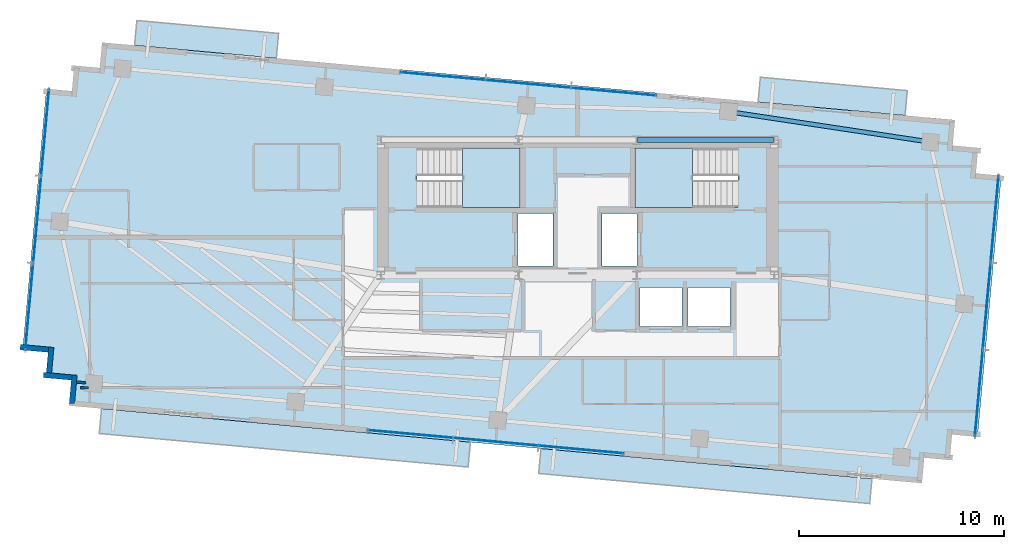
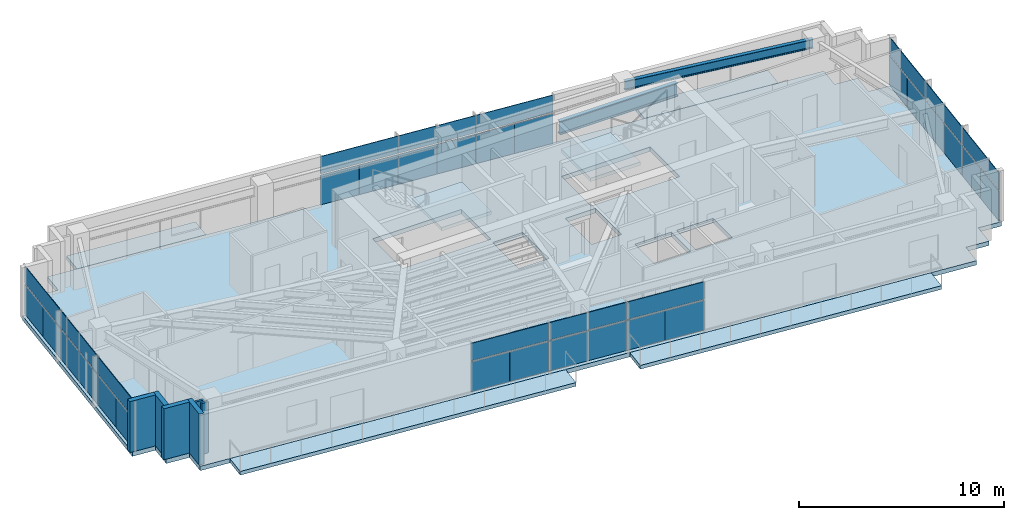
# One storey, part 15 of 22: 36 plates, 7 slabs, 6 walls, 2 beams, 6 elements without a shape of their own.
"""IFC4 building model written with IfcOpenShell, lengths in metres."""

from ifc_helpers import new_model, si_unit, direction, frame, frame_2d, origin, origin_2d, place, context, subcontext, project, spatial, polyline, rectangle, i_section, outline, extrude, source, transform, mapped, material, layer, layer_set, material_profile, profile_set, type_object, type_shapes, element, aggregate, save


model = new_model("IFC4")

# Units and contexts
model_context = context("Model", 3, precision=1e-05, world=origin(), true_north=direction((0.0, 1.0)))
body_context = subcontext(model_context, "Body", "Model", "MODEL_VIEW")
ifc_project = project(units=[si_unit("LENGTHUNIT", "METRE"), si_unit("AREAUNIT", "SQUARE_METRE"), si_unit("VOLUMEUNIT", "CUBIC_METRE"), si_unit("PLANEANGLEUNIT", "RADIAN"), si_unit("MASSUNIT", "GRAM", prefix="KILO")], contexts=[model_context])

# Site, building, storey
site_placement = place(None, origin())
site = spatial("IfcSite", under=ifc_project, at=site_placement, CompositionType="ELEMENT")
building_placement = place(site_placement, origin())
building = spatial("IfcBuilding", under=site, at=building_placement, Name="Astriad Promenade Condominiums", CompositionType="ELEMENT")
storey_placement = place(building_placement, frame((0.0, 0.0, 252.89990234375)))
storey = spatial("IfcBuildingStorey", under=building, at=storey_placement, Name="L73", CompositionType="ELEMENT", Elevation=252.89990234375)

# Beams
ifc_material_1 = material(Name="Steel ASTM A992 Grade 50", Category="steel")
ifc_material_profile_1 = material_profile(ifc_material_1, i_section(OverallWidth=0.267822265625, OverallDepth=0.76953125, WebThickness=0.015625, FlangeThickness=0.025390625, FilletRadius=0.021484375, at=origin_2d()), Name="W30X132")
ifc_profile_set_1 = profile_set([ifc_material_profile_1], Name="Steel ASTM A992 Grade 50")
beam_type_1 = type_object("IfcBeamType", Name="STEEL FLOOR GIRDER W30X132", PredefinedType="BEAM", material=ifc_profile_set_1)
shared_shape_1 = source(origin(), body_context, "Body", "SweptSolid", [
    extrude(i_section(OverallWidth=0.267822265625, OverallDepth=0.76953125, WebThickness=0.015625, FlangeThickness=0.025390625, FilletRadius=0.021484375, at=origin_2d()), origin(), (0.0, 0.0, 1.0), 6.64013671875),
])
type_shapes(beam_type_1, [shared_shape_1])
beam_1_placement = place(storey_placement, frame((38.919921875, 24.0, 2.6552734375), z_axis=(1.0, 0.0, 0.0), x_axis=(0.0, 1.0, 0.0)))
element("IfcBeam", 1, at=beam_1_placement, inside=storey, type_object=beam_type_1, Name="Core Ring Beam CG-N3-L73", PredefinedType="BEAM", context=body_context, shape_type="MappedRepresentation", body=[
    mapped(shared_shape_1, transform((0.0, 0.0, 0.0), scale=1.0)),
])
ifc_material_profile_2 = material_profile(ifc_material_1, i_section(OverallWidth=0.210693359375, OverallDepth=0.53955078125, WebThickness=0.01171875, FlangeThickness=0.018798828125, FilletRadius=0.0166015625, at=origin_2d()), Name="W21X73")
ifc_profile_set_2 = profile_set([ifc_material_profile_2], Name="Steel ASTM A992 Grade 50")
beam_type_2 = type_object("IfcBeamType", Name="STEEL SPANDREL BEAM W21X73", PredefinedType="SPANDREL", material=ifc_profile_set_2)
shared_shape_2 = source(origin(), body_context, "Body", "SweptSolid", [
    extrude(i_section(OverallWidth=0.210693359375, OverallDepth=0.53955078125, WebThickness=0.01171875, FlangeThickness=0.018798828125, FilletRadius=0.0166015625, at=origin_2d()), origin(), (0.0, 0.0, 1.0), 9.890869140625),
])
type_shapes(beam_type_2, [shared_shape_2])
beam_2_placement = place(storey_placement, frame((53.1787109375, 23.899658203125, 2.7705078125), z_axis=(-0.988827455442, 0.149064628143, 0.0), x_axis=(-0.149064628143, -0.988827455442, 0.0)))
element("IfcBeam", 2, at=beam_2_placement, inside=storey, type_object=beam_type_2, Name="Perimeter Spandrel Beam SP-N4-L73", PredefinedType="SPANDREL", context=body_context, shape_type="MappedRepresentation", body=[
    mapped(shared_shape_2, transform((0.0, 0.0, 0.0), scale=1.0)),
])

# Slab
ifc_material_2 = material(Name="Concrete C50/60", Category="concrete")
ifc_layer_1 = layer(ifc_material_2, 0.260009765625)
ifc_layer_set_1 = layer_set([ifc_layer_1], Name="Concrete C50/60")
slab_type_1 = type_object("IfcSlabType", Name="CONCRETE TOWER FLOOR SLAB 260", PredefinedType="FLOOR", material=ifc_layer_set_1)
slab_1_placement = place(storey_placement, frame((0.0, 0.0, -0.260009765625)))
element("IfcSlab", 3, at=slab_1_placement, inside=storey, type_object=slab_type_1, Name="Structural Floor Slab (L73)", PredefinedType="FLOOR", context=body_context, shape_type="SweptSolid", body=[
    extrude(outline(polyline([(11.179443359375, 11.03076171875), (52.807373046875, 7.242431640625), (52.920654296875, 8.4873046875), (54.16552734375, 8.3740234375), (54.27880859375, 9.618896484375), (55.523681640625, 9.505615234375), (56.68359375, 22.2529296875), (55.43896484375, 22.3662109375), (55.55224609375, 23.611083984375), (54.307373046875, 23.724365234375), (54.420654296875, 24.96923828125), (12.79248046875, 28.757568359375), (12.679443359375, 27.5126953125), (11.4345703125, 27.6259765625), (11.3212890625, 26.381103515625), (10.076416015625, 26.494384765625), (8.916259765625, 13.7470703125), (10.1611328125, 13.6337890625), (10.0478515625, 12.388916015625), (11.292724609375, 12.275634765625), (11.179443359375, 11.03076171875)]), holes=[polyline([(28.175048828125, 20.699951171875), (33.175048828125, 20.699951171875), (33.175048828125, 23.60009765625), (28.175048828125, 23.60009765625), (28.175048828125, 20.699951171875)]), polyline([(38.824951171875, 20.699951171875), (43.824951171875, 20.699951171875), (43.824951171875, 23.60009765625), (38.824951171875, 23.60009765625), (38.824951171875, 20.699951171875)]), polyline([(33.10009765625, 17.85009765625), (34.800048828125, 17.85009765625), (34.800048828125, 20.39990234375), (33.10009765625, 20.39990234375), (33.10009765625, 17.85009765625)]), polyline([(37.199951171875, 17.85009765625), (38.89990234375, 17.85009765625), (38.89990234375, 20.39990234375), (37.199951171875, 20.39990234375), (37.199951171875, 17.85009765625)]), polyline([(39.050048828125, 14.89990234375), (41.10009765625, 14.89990234375), (41.10009765625, 16.800048828125), (39.050048828125, 16.800048828125), (39.050048828125, 14.89990234375)]), polyline([(41.39990234375, 14.89990234375), (43.449951171875, 14.89990234375), (43.449951171875, 16.800048828125), (41.39990234375, 16.800048828125), (41.39990234375, 14.89990234375)])]), origin(), (0.0, 0.0, 1.0), 0.260009765625),
])

# Stair, slab
stair_type = type_object("IfcStairType", Name="STR-CORE-1350", PredefinedType="HALF_TURN_STAIR", material=ifc_material_2)
stair_1_placement = place(storey_placement, origin())
stair_1 = element("IfcStair", 4, at=stair_1_placement, inside=storey, type_object=stair_type, Name="L73 Enclosed Core Exit Stair ST-1", PredefinedType="HALF_TURN_STAIR")
ifc_layer_2 = layer(ifc_material_2, 0.219970703125)
ifc_layer_set_2 = layer_set([ifc_layer_2], Name="Concrete C50/60")
slab_type_2 = type_object("IfcSlabType", Name="SLB-LANDING-220", PredefinedType="LANDING", material=ifc_layer_set_2)
slab_2_placement = place(storey_placement, frame((0.0, 0.0, 1.4501953125)))
slab_2 = element("IfcSlab", 5, at=slab_2_placement, type_object=slab_type_2, Name="ST-1 landing 1", PredefinedType="LANDING", context=body_context, shape_type="SweptSolid", body=[
    extrude(outline(polyline([(30.389892578125, 20.699951171875), (33.199951171875, 20.699951171875), (33.199951171875, 23.60009765625), (30.389892578125, 23.60009765625), (30.389892578125, 20.699951171875)])), origin(), (0.0, 0.0, 1.0), 0.199951171875),
])
aggregate(stair_1, [slab_2])

stair_2_placement = place(storey_placement, origin())
stair_2 = element("IfcStair", 6, at=stair_2_placement, inside=storey, type_object=stair_type, Name="L73 Enclosed Core Exit Stair ST-2", PredefinedType="HALF_TURN_STAIR")
slab_3_placement = place(storey_placement, frame((0.0, 0.0, 1.4501953125)))
slab_3 = element("IfcSlab", 7, at=slab_3_placement, type_object=slab_type_2, Name="ST-2 landing 1", PredefinedType="LANDING", context=body_context, shape_type="SweptSolid", body=[
    extrude(outline(polyline([(41.610107421875, 23.60009765625), (38.800048828125, 23.60009765625), (38.800048828125, 20.699951171875), (41.610107421875, 20.699951171875), (41.610107421875, 23.60009765625)])), origin(), (0.0, 0.0, 1.0), 0.199951171875),
])
aggregate(stair_2, [slab_3])

# Slabs
ifc_material_3 = material(Name="Precast concrete C50/60", Category="concrete")
ifc_layer_3 = layer(ifc_material_3, 0.219970703125)
ifc_layer_set_3 = layer_set([ifc_layer_3], Name="Precast concrete C50/60")
slab_type_3 = type_object("IfcSlabType", Name="WHITE PRECAST CONCRETE WAVE BALCONY SLAB 220", PredefinedType="FLOOR", material=ifc_layer_set_3)
slab_4_placement = place(storey_placement, frame((0.0, 0.0, -0.219970703125)))
element("IfcSlab", 8, at=slab_4_placement, inside=storey, type_object=slab_type_3, Name="White Precast Wave Balcony Slab BAL-L73-SW", PredefinedType="FLOOR", context=body_context, shape_type="SweptSolid", body=[
    extrude(outline(polyline([(30.656005859375, 8.033203125), (12.6552734375, 9.67138671875), (12.765625, 10.884521484375), (30.76611328125, 9.246337890625), (30.656005859375, 8.033203125)])), origin(), (0.0, 0.0, 1.0), 0.219970703125),
])
slab_5_placement = place(storey_placement, frame((0.0, 0.0, -0.219970703125)))
element("IfcSlab", 9, at=slab_5_placement, inside=storey, type_object=slab_type_3, Name="White Precast Wave Balcony Slab BAL-L73-SE", PredefinedType="FLOOR", context=body_context, shape_type="SweptSolid", body=[
    extrude(outline(polyline([(50.2578125, 6.24951171875), (34.1005859375, 7.7197265625), (34.2109375, 8.932861328125), (50.3681640625, 7.46240234375), (50.2578125, 6.24951171875)])), origin(), (0.0, 0.0, 1.0), 0.219970703125),
])
slab_6_placement = place(storey_placement, frame((0.0, 0.0, -0.219970703125)))
element("IfcSlab", 10, at=slab_6_placement, inside=storey, type_object=slab_type_3, Name="White Precast Wave Balcony Slab BAL-L73-NW", PredefinedType="FLOOR", context=body_context, shape_type="SweptSolid", body=[
    extrude(outline(polyline([(14.48974609375, 29.828125), (21.408203125, 29.198486328125), (21.297607421875, 27.985595703125), (14.37939453125, 28.615234375), (14.48974609375, 29.828125)])), origin(), (0.0, 0.0, 1.0), 0.219970703125),
])
slab_7_placement = place(storey_placement, frame((0.0, 0.0, -0.219970703125)))
element("IfcSlab", 11, at=slab_7_placement, inside=storey, type_object=slab_type_3, Name="White Precast Wave Balcony Slab BAL-L73-NE", PredefinedType="FLOOR", context=body_context, shape_type="SweptSolid", body=[
    extrude(outline(polyline([(44.9208984375, 27.05859375), (52.09228515625, 26.406005859375), (51.98193359375, 25.193115234375), (44.810546875, 25.845703125), (44.9208984375, 27.05859375)])), origin(), (0.0, 0.0, 1.0), 0.219970703125),
])

# Curtain wall, plates
ifc_material_4 = material(Name="Anodised aluminium Black Dark Glass Unitised", Category="aluminium")
curtain_wall_type = type_object("IfcCurtainWallType", Name="CW-B5-DARK", PredefinedType="USERDEFINED", material=ifc_material_4)
curtain_wall_1_placement = place(storey_placement, origin())
curtain_wall_1 = element("IfcCurtainWall", 12, at=curtain_wall_1_placement, inside=storey, type_object=curtain_wall_type, Name="CW-L73-W", ObjectType="UNITISED_CURTAIN_WALL", PredefinedType="USERDEFINED")
ifc_material_5 = material(Name="Dark Tinted Low-E Laminated Glass", Category="glass")
ifc_layer_4 = layer(ifc_material_5, 0.035888671875)
ifc_layer_set_4 = layer_set([ifc_layer_4], Name="Dark Tinted Low-E Laminated Glass")
plate_type = type_object("IfcPlateType", Name="PNL-DARK-GLASS-36", PredefinedType="CURTAIN_PANEL", material=ifc_layer_set_4)
shared_shape_3 = source(origin(), body_context, "Body", "SweptSolid", [
    extrude(rectangle(XDim=2.121337890625, YDim=0.035888671875, at=origin_2d()), origin(), (0.0, 0.0, 1.0), 1.764892578125),
])
plate_1_placement = place(storey_placement, frame((9.142578125, 14.797607421875, 0.080078125), z_axis=(0.0, 0.0, 1.0), x_axis=(0.090632580198, 0.995884398616, 0.0)))
plate_1 = element("IfcPlate", 13, at=plate_1_placement, type_object=plate_type, Name="CW-L73-W-PNL-00-VL", PredefinedType="CURTAIN_PANEL", context=body_context, shape_type="MappedRepresentation", body=[
    mapped(shared_shape_3, transform((0.0, 0.0, 0.0), scale=1.0)),
])
plate_2_placement = place(storey_placement, frame((9.335693359375, 16.922119140625, 0.080078125), z_axis=(0.0, 0.0, 1.0), x_axis=(0.090632580198, 0.995884398616, 0.0)))
plate_2 = element("IfcPlate", 14, at=plate_2_placement, type_object=plate_type, Name="CW-L73-W-PNL-00-VR", PredefinedType="CURTAIN_PANEL", context=body_context, shape_type="MappedRepresentation", body=[
    mapped(shared_shape_3, transform((0.0, 0.0, 0.0), scale=1.0)),
])
plate_3_placement = place(storey_placement, frame((9.529296875, 19.046630859375, 0.080078125), z_axis=(0.0, 0.0, 1.0), x_axis=(0.090632580198, 0.995884398616, 0.0)))
plate_3 = element("IfcPlate", 15, at=plate_3_placement, type_object=plate_type, Name="CW-L73-W-PNL-01-VL", PredefinedType="CURTAIN_PANEL", context=body_context, shape_type="MappedRepresentation", body=[
    mapped(shared_shape_3, transform((0.0, 0.0, 0.0), scale=1.0)),
])
plate_4_placement = place(storey_placement, frame((9.722412109375, 21.17138671875, 0.080078125), z_axis=(0.0, 0.0, 1.0), x_axis=(0.090632580198, 0.995884398616, 0.0)))
plate_4 = element("IfcPlate", 16, at=plate_4_placement, type_object=plate_type, Name="CW-L73-W-PNL-01-VR", PredefinedType="CURTAIN_PANEL", context=body_context, shape_type="MappedRepresentation", body=[
    mapped(shared_shape_3, transform((0.0, 0.0, 0.0), scale=1.0)),
])
plate_5_placement = place(storey_placement, frame((9.916015625, 23.2958984375, 0.080078125), z_axis=(0.0, 0.0, 1.0), x_axis=(0.090632580198, 0.995884398616, 0.0)))
plate_5 = element("IfcPlate", 17, at=plate_5_placement, type_object=plate_type, Name="CW-L73-W-PNL-02-VL", PredefinedType="CURTAIN_PANEL", context=body_context, shape_type="MappedRepresentation", body=[
    mapped(shared_shape_3, transform((0.0, 0.0, 0.0), scale=1.0)),
])
plate_6_placement = place(storey_placement, frame((10.109130859375, 25.42041015625, 0.080078125), z_axis=(0.0, 0.0, 1.0), x_axis=(0.090632580198, 0.995884398616, 0.0)))
plate_6 = element("IfcPlate", 18, at=plate_6_placement, type_object=plate_type, Name="CW-L73-W-PNL-02-VR", PredefinedType="CURTAIN_PANEL", context=body_context, shape_type="MappedRepresentation", body=[
    mapped(shared_shape_3, transform((0.0, 0.0, 0.0), scale=1.0)),
])

curtain_wall_2_placement = place(storey_placement, origin())
curtain_wall_2 = element("IfcCurtainWall", 19, at=curtain_wall_2_placement, inside=storey, type_object=curtain_wall_type, Name="CW-L73-E", ObjectType="UNITISED_CURTAIN_WALL", PredefinedType="USERDEFINED")
plate_7_placement = place(storey_placement, frame((56.45751953125, 21.202392578125, 0.080078125), z_axis=(0.0, 0.0, 1.0), x_axis=(-0.090632580198, -0.995884398616, 0.0)))
plate_7 = element("IfcPlate", 20, at=plate_7_placement, type_object=plate_type, Name="CW-L73-E-PNL-00-VL", PredefinedType="CURTAIN_PANEL", context=body_context, shape_type="MappedRepresentation", body=[
    mapped(shared_shape_3, transform((0.0, 0.0, 0.0), scale=1.0)),
])
plate_8_placement = place(storey_placement, frame((56.26416015625, 19.077880859375, 0.080078125), z_axis=(0.0, 0.0, 1.0), x_axis=(-0.090632580198, -0.995884398616, 0.0)))
plate_8 = element("IfcPlate", 21, at=plate_8_placement, type_object=plate_type, Name="CW-L73-E-PNL-00-VR", PredefinedType="CURTAIN_PANEL", context=body_context, shape_type="MappedRepresentation", body=[
    mapped(shared_shape_3, transform((0.0, 0.0, 0.0), scale=1.0)),
])
plate_9_placement = place(storey_placement, frame((56.07080078125, 16.953369140625, 0.080078125), z_axis=(0.0, 0.0, 1.0), x_axis=(-0.090632580198, -0.995884398616, 0.0)))
plate_9 = element("IfcPlate", 22, at=plate_9_placement, type_object=plate_type, Name="CW-L73-E-PNL-01-VL", PredefinedType="CURTAIN_PANEL", context=body_context, shape_type="MappedRepresentation", body=[
    mapped(shared_shape_3, transform((0.0, 0.0, 0.0), scale=1.0)),
])
plate_10_placement = place(storey_placement, frame((55.87744140625, 14.82861328125, 0.080078125), z_axis=(0.0, 0.0, 1.0), x_axis=(-0.090632580198, -0.995884398616, 0.0)))
plate_10 = element("IfcPlate", 23, at=plate_10_placement, type_object=plate_type, Name="CW-L73-E-PNL-01-VR", PredefinedType="CURTAIN_PANEL", context=body_context, shape_type="MappedRepresentation", body=[
    mapped(shared_shape_3, transform((0.0, 0.0, 0.0), scale=1.0)),
])
plate_11_placement = place(storey_placement, frame((55.68408203125, 12.7041015625, 0.080078125), z_axis=(0.0, 0.0, 1.0), x_axis=(-0.090632580198, -0.995884398616, 0.0)))
plate_11 = element("IfcPlate", 24, at=plate_11_placement, type_object=plate_type, Name="CW-L73-E-PNL-02-VL", PredefinedType="CURTAIN_PANEL", context=body_context, shape_type="MappedRepresentation", body=[
    mapped(shared_shape_3, transform((0.0, 0.0, 0.0), scale=1.0)),
])
plate_12_placement = place(storey_placement, frame((55.49072265625, 10.57958984375, 0.080078125), z_axis=(0.0, 0.0, 1.0), x_axis=(-0.090632580198, -0.995884398616, 0.0)))
plate_12 = element("IfcPlate", 25, at=plate_12_placement, type_object=plate_type, Name="CW-L73-E-PNL-02-VR", PredefinedType="CURTAIN_PANEL", context=body_context, shape_type="MappedRepresentation", body=[
    mapped(shared_shape_3, transform((0.0, 0.0, 0.0), scale=1.0)),
])

# Plate
shared_shape_4 = source(origin(), body_context, "Body", "SweptSolid", [
    extrude(rectangle(XDim=4.254638671875, YDim=0.035888671875, at=origin_2d()), origin(), (0.0, 0.0, 1.0), 1.03515625),
])
plate_13_placement = place(storey_placement, frame((9.239013671875, 15.85986328125, 1.9248046875), z_axis=(0.0, 0.0, 1.0), x_axis=(0.090632580198, 0.995884398616, 0.0)))
plate_13 = element("IfcPlate", 26, at=plate_13_placement, type_object=plate_type, Name="CW-L73-W-PNL-00-S", PredefinedType="CURTAIN_PANEL", context=body_context, shape_type="MappedRepresentation", body=[
    mapped(shared_shape_4, transform((0.0, 0.0, 0.0), scale=1.0)),
])

plate_14_placement = place(storey_placement, frame((9.625732421875, 20.10888671875, 1.9248046875), z_axis=(0.0, 0.0, 1.0), x_axis=(0.090632580198, 0.995884398616, 0.0)))
plate_14 = element("IfcPlate", 27, at=plate_14_placement, type_object=plate_type, Name="CW-L73-W-PNL-01-S", PredefinedType="CURTAIN_PANEL", context=body_context, shape_type="MappedRepresentation", body=[
    mapped(shared_shape_4, transform((0.0, 0.0, 0.0), scale=1.0)),
])

plate_15_placement = place(storey_placement, frame((10.0126953125, 24.358154296875, 1.9248046875), z_axis=(0.0, 0.0, 1.0), x_axis=(0.090632580198, 0.995884398616, 0.0)))
plate_15 = element("IfcPlate", 28, at=plate_15_placement, type_object=plate_type, Name="CW-L73-W-PNL-02-S", PredefinedType="CURTAIN_PANEL", context=body_context, shape_type="MappedRepresentation", body=[
    mapped(shared_shape_4, transform((0.0, 0.0, 0.0), scale=1.0)),
])

aggregate(curtain_wall_1, [plate_1, plate_2, plate_13, plate_3, plate_4, plate_14, plate_5, plate_6, plate_15])

plate_16_placement = place(storey_placement, frame((56.36083984375, 20.14013671875, 1.9248046875), z_axis=(0.0, 0.0, 1.0), x_axis=(-0.090632580198, -0.995884398616, 0.0)))
plate_16 = element("IfcPlate", 29, at=plate_16_placement, type_object=plate_type, Name="CW-L73-E-PNL-00-S", PredefinedType="CURTAIN_PANEL", context=body_context, shape_type="MappedRepresentation", body=[
    mapped(shared_shape_4, transform((0.0, 0.0, 0.0), scale=1.0)),
])

plate_17_placement = place(storey_placement, frame((55.97412109375, 15.89111328125, 1.9248046875), z_axis=(0.0, 0.0, 1.0), x_axis=(-0.090632580198, -0.995884398616, 0.0)))
plate_17 = element("IfcPlate", 30, at=plate_17_placement, type_object=plate_type, Name="CW-L73-E-PNL-01-S", PredefinedType="CURTAIN_PANEL", context=body_context, shape_type="MappedRepresentation", body=[
    mapped(shared_shape_4, transform((0.0, 0.0, 0.0), scale=1.0)),
])

plate_18_placement = place(storey_placement, frame((55.58740234375, 11.641845703125, 1.9248046875), z_axis=(0.0, 0.0, 1.0), x_axis=(-0.090632580198, -0.995884398616, 0.0)))
plate_18 = element("IfcPlate", 31, at=plate_18_placement, type_object=plate_type, Name="CW-L73-E-PNL-02-S", PredefinedType="CURTAIN_PANEL", context=body_context, shape_type="MappedRepresentation", body=[
    mapped(shared_shape_4, transform((0.0, 0.0, 0.0), scale=1.0)),
])

aggregate(curtain_wall_2, [plate_7, plate_8, plate_16, plate_9, plate_10, plate_17, plate_11, plate_12, plate_18])

# Curtain wall, plates
curtain_wall_3_placement = place(storey_placement, origin())
curtain_wall_3 = element("IfcCurtainWall", 32, at=curtain_wall_3_placement, inside=storey, type_object=curtain_wall_type, Name="CW-L73-N", ObjectType="UNITISED_CURTAIN_WALL", PredefinedType="USERDEFINED")
shared_shape_5 = source(origin(), body_context, "Body", "SweptSolid", [
    extrude(rectangle(XDim=2.077880859375, YDim=0.035888671875, at=origin_2d()), origin(), (0.0, 0.0, 1.0), 1.764892578125),
])
plate_19_placement = place(storey_placement, frame((28.391357421875, 27.20751953125, 0.080078125), z_axis=(0.0, 0.0, 1.0), x_axis=(0.995884398616, -0.090632580198, 0.0)))
plate_19 = element("IfcPlate", 33, at=plate_19_placement, type_object=plate_type, Name="CW-L73-N-PNL-00-VL", PredefinedType="CURTAIN_PANEL", context=body_context, shape_type="MappedRepresentation", body=[
    mapped(shared_shape_5, transform((0.0, 0.0, 0.0), scale=1.0)),
])
plate_20_placement = place(storey_placement, frame((30.47265625, 27.01806640625, 0.080078125), z_axis=(0.0, 0.0, 1.0), x_axis=(0.995884398616, -0.090632580198, 0.0)))
plate_20 = element("IfcPlate", 34, at=plate_20_placement, type_object=plate_type, Name="CW-L73-N-PNL-00-VR", PredefinedType="CURTAIN_PANEL", context=body_context, shape_type="MappedRepresentation", body=[
    mapped(shared_shape_5, transform((0.0, 0.0, 0.0), scale=1.0)),
])
plate_21_placement = place(storey_placement, frame((32.55419921875, 26.82861328125, 0.080078125), z_axis=(0.0, 0.0, 1.0), x_axis=(0.995884398616, -0.090632580198, 0.0)))
plate_21 = element("IfcPlate", 35, at=plate_21_placement, type_object=plate_type, Name="CW-L73-N-PNL-01-VL", PredefinedType="CURTAIN_PANEL", context=body_context, shape_type="MappedRepresentation", body=[
    mapped(shared_shape_5, transform((0.0, 0.0, 0.0), scale=1.0)),
])
plate_22_placement = place(storey_placement, frame((34.635498046875, 26.63916015625, 0.080078125), z_axis=(0.0, 0.0, 1.0), x_axis=(0.995884398616, -0.090632580198, 0.0)))
plate_22 = element("IfcPlate", 36, at=plate_22_placement, type_object=plate_type, Name="CW-L73-N-PNL-01-VR", PredefinedType="CURTAIN_PANEL", context=body_context, shape_type="MappedRepresentation", body=[
    mapped(shared_shape_5, transform((0.0, 0.0, 0.0), scale=1.0)),
])
plate_23_placement = place(storey_placement, frame((36.716796875, 26.44970703125, 0.080078125), z_axis=(0.0, 0.0, 1.0), x_axis=(0.995884398616, -0.090632580198, 0.0)))
plate_23 = element("IfcPlate", 37, at=plate_23_placement, type_object=plate_type, Name="CW-L73-N-PNL-02-VL", PredefinedType="CURTAIN_PANEL", context=body_context, shape_type="MappedRepresentation", body=[
    mapped(shared_shape_5, transform((0.0, 0.0, 0.0), scale=1.0)),
])
plate_24_placement = place(storey_placement, frame((38.79833984375, 26.26025390625, 0.080078125), z_axis=(0.0, 0.0, 1.0), x_axis=(0.995884398616, -0.090632580198, 0.0)))
plate_24 = element("IfcPlate", 38, at=plate_24_placement, type_object=plate_type, Name="CW-L73-N-PNL-02-VR", PredefinedType="CURTAIN_PANEL", context=body_context, shape_type="MappedRepresentation", body=[
    mapped(shared_shape_5, transform((0.0, 0.0, 0.0), scale=1.0)),
])

curtain_wall_4_placement = place(storey_placement, origin())
curtain_wall_4 = element("IfcCurtainWall", 39, at=curtain_wall_4_placement, inside=storey, type_object=curtain_wall_type, Name="CW-L73-S", ObjectType="UNITISED_CURTAIN_WALL", PredefinedType="USERDEFINED")
plate_25_placement = place(storey_placement, frame((37.208740234375, 8.79248046875, 0.080078125), z_axis=(0.0, 0.0, 1.0), x_axis=(-0.995884398616, 0.090632580198, 0.0)))
plate_25 = element("IfcPlate", 40, at=plate_25_placement, type_object=plate_type, Name="CW-L73-S-PNL-00-VL", PredefinedType="CURTAIN_PANEL", context=body_context, shape_type="MappedRepresentation", body=[
    mapped(shared_shape_5, transform((0.0, 0.0, 0.0), scale=1.0)),
])
plate_26_placement = place(storey_placement, frame((35.127197265625, 8.98193359375, 0.080078125), z_axis=(0.0, 0.0, 1.0), x_axis=(-0.995884398616, 0.090632580198, 0.0)))
plate_26 = element("IfcPlate", 41, at=plate_26_placement, type_object=plate_type, Name="CW-L73-S-PNL-00-VR", PredefinedType="CURTAIN_PANEL", context=body_context, shape_type="MappedRepresentation", body=[
    mapped(shared_shape_5, transform((0.0, 0.0, 0.0), scale=1.0)),
])
plate_27_placement = place(storey_placement, frame((33.0458984375, 9.17138671875, 0.080078125), z_axis=(0.0, 0.0, 1.0), x_axis=(-0.995884398616, 0.090632580198, 0.0)))
plate_27 = element("IfcPlate", 42, at=plate_27_placement, type_object=plate_type, Name="CW-L73-S-PNL-01-VL", PredefinedType="CURTAIN_PANEL", context=body_context, shape_type="MappedRepresentation", body=[
    mapped(shared_shape_5, transform((0.0, 0.0, 0.0), scale=1.0)),
])
plate_28_placement = place(storey_placement, frame((30.964599609375, 9.36083984375, 0.080078125), z_axis=(0.0, 0.0, 1.0), x_axis=(-0.995884398616, 0.090632580198, 0.0)))
plate_28 = element("IfcPlate", 43, at=plate_28_placement, type_object=plate_type, Name="CW-L73-S-PNL-01-VR", PredefinedType="CURTAIN_PANEL", context=body_context, shape_type="MappedRepresentation", body=[
    mapped(shared_shape_5, transform((0.0, 0.0, 0.0), scale=1.0)),
])
plate_29_placement = place(storey_placement, frame((28.883056640625, 9.55029296875, 0.080078125), z_axis=(0.0, 0.0, 1.0), x_axis=(-0.995884398616, 0.090632580198, 0.0)))
plate_29 = element("IfcPlate", 44, at=plate_29_placement, type_object=plate_type, Name="CW-L73-S-PNL-02-VL", PredefinedType="CURTAIN_PANEL", context=body_context, shape_type="MappedRepresentation", body=[
    mapped(shared_shape_5, transform((0.0, 0.0, 0.0), scale=1.0)),
])
plate_30_placement = place(storey_placement, frame((26.8017578125, 9.73974609375, 0.080078125), z_axis=(0.0, 0.0, 1.0), x_axis=(-0.995884398616, 0.090632580198, 0.0)))
plate_30 = element("IfcPlate", 45, at=plate_30_placement, type_object=plate_type, Name="CW-L73-S-PNL-02-VR", PredefinedType="CURTAIN_PANEL", context=body_context, shape_type="MappedRepresentation", body=[
    mapped(shared_shape_5, transform((0.0, 0.0, 0.0), scale=1.0)),
])

# Plate
shared_shape_6 = source(origin(), body_context, "Body", "SweptSolid", [
    extrude(rectangle(XDim=4.16796875, YDim=0.035888671875, at=origin_2d()), origin(), (0.0, 0.0, 1.0), 1.03515625),
])
type_shapes(plate_type, [shared_shape_3, shared_shape_4, shared_shape_5, shared_shape_6])
plate_31_placement = place(storey_placement, frame((29.431884765625, 27.11279296875, 1.9248046875), z_axis=(0.0, 0.0, 1.0), x_axis=(0.995884398616, -0.090632580198, 0.0)))
plate_31 = element("IfcPlate", 46, at=plate_31_placement, type_object=plate_type, Name="CW-L73-N-PNL-00-S", PredefinedType="CURTAIN_PANEL", context=body_context, shape_type="MappedRepresentation", body=[
    mapped(shared_shape_6, transform((0.0, 0.0, 0.0), scale=1.0)),
])

plate_32_placement = place(storey_placement, frame((33.5947265625, 26.73388671875, 1.9248046875), z_axis=(0.0, 0.0, 1.0), x_axis=(0.995884398616, -0.090632580198, 0.0)))
plate_32 = element("IfcPlate", 47, at=plate_32_placement, type_object=plate_type, Name="CW-L73-N-PNL-01-S", PredefinedType="CURTAIN_PANEL", context=body_context, shape_type="MappedRepresentation", body=[
    mapped(shared_shape_6, transform((0.0, 0.0, 0.0), scale=1.0)),
])

plate_33_placement = place(storey_placement, frame((37.757568359375, 26.35498046875, 1.9248046875), z_axis=(0.0, 0.0, 1.0), x_axis=(0.995884398616, -0.090632580198, 0.0)))
plate_33 = element("IfcPlate", 48, at=plate_33_placement, type_object=plate_type, Name="CW-L73-N-PNL-02-S", PredefinedType="CURTAIN_PANEL", context=body_context, shape_type="MappedRepresentation", body=[
    mapped(shared_shape_6, transform((0.0, 0.0, 0.0), scale=1.0)),
])

aggregate(curtain_wall_3, [plate_19, plate_20, plate_31, plate_21, plate_22, plate_32, plate_23, plate_24, plate_33])

plate_34_placement = place(storey_placement, frame((36.16796875, 8.88720703125, 1.9248046875), z_axis=(0.0, 0.0, 1.0), x_axis=(-0.995884398616, 0.090632580198, 0.0)))
plate_34 = element("IfcPlate", 49, at=plate_34_placement, type_object=plate_type, Name="CW-L73-S-PNL-00-S", PredefinedType="CURTAIN_PANEL", context=body_context, shape_type="MappedRepresentation", body=[
    mapped(shared_shape_6, transform((0.0, 0.0, 0.0), scale=1.0)),
])

plate_35_placement = place(storey_placement, frame((32.005126953125, 9.26611328125, 1.9248046875), z_axis=(0.0, 0.0, 1.0), x_axis=(-0.995884398616, 0.090632580198, 0.0)))
plate_35 = element("IfcPlate", 50, at=plate_35_placement, type_object=plate_type, Name="CW-L73-S-PNL-01-S", PredefinedType="CURTAIN_PANEL", context=body_context, shape_type="MappedRepresentation", body=[
    mapped(shared_shape_6, transform((0.0, 0.0, 0.0), scale=1.0)),
])

plate_36_placement = place(storey_placement, frame((27.84228515625, 9.64501953125, 1.9248046875), z_axis=(0.0, 0.0, 1.0), x_axis=(-0.995884398616, 0.090632580198, 0.0)))
plate_36 = element("IfcPlate", 51, at=plate_36_placement, type_object=plate_type, Name="CW-L73-S-PNL-02-S", PredefinedType="CURTAIN_PANEL", context=body_context, shape_type="MappedRepresentation", body=[
    mapped(shared_shape_6, transform((0.0, 0.0, 0.0), scale=1.0)),
])

aggregate(curtain_wall_4, [plate_25, plate_26, plate_34, plate_27, plate_28, plate_35, plate_29, plate_30, plate_36])

# Walls
ifc_layer_5 = layer(ifc_material_3, 0.260009765625)
ifc_layer_set_5 = layer_set([ifc_layer_5], Name="Precast concrete C50/60")
wall_type_1 = type_object("IfcWallType", Name="WALL-EXT-TWR-260", PredefinedType="STANDARD", material=ifc_layer_set_5)
wall_1_placement = place(storey_placement, frame((11.3193359375, 12.40380859375, 0.0), z_axis=(0.0, 0.0, 1.0), x_axis=(-0.995881721538, 0.090661991521, 0.0)))
element("IfcWall", 52, at=wall_1_placement, inside=storey, type_object=wall_type_1, Name="W-SER-L73-00", PredefinedType="STANDARD", context=body_context, shape_type="SweptSolid", body=[
    extrude(rectangle(XDim=1.39501953125, YDim=0.260009765625, at=frame_2d((0.697509765625, 0.0))), origin(), (0.0, 0.0, 1.0), 3.0400390625),
])
wall_2_placement = place(storey_placement, frame((10.187744140625, 12.49169921875, 0.0), z_axis=(0.0, 0.0, 1.0), x_axis=(0.090646191665, 0.995883159782, 0.0)))
element("IfcWall", 53, at=wall_2_placement, inside=storey, type_object=wall_type_1, Name="W-SER-L73-01", PredefinedType="STANDARD", context=body_context, shape_type="SweptSolid", body=[
    extrude(rectangle(XDim=1.395263671875, YDim=0.260009765625, at=frame_2d((0.69775390625, 0.0))), origin(), (0.0, 0.0, 1.0), 3.0400390625),
])
for number, where, z_axis, x_axis, name in (
    (54, (10.187744140625, 13.761962890625, 0.0), (0.0, 0.0, 1.0), (-0.995881721538, 0.090661991521, 0.0), "W-SER-L73-02"),
    (55, (11.3193359375, 11.133544921875, 0.0), (0.0, 0.0, 1.0), (0.090661991521, 0.995881721538, 0.0), "W-SER-L73-19"),
):
    element("IfcWall", number, at=place(storey_placement, frame(where, z_axis=z_axis, x_axis=x_axis)), inside=storey, type_object=wall_type_1, Name=name, PredefinedType="STANDARD", context=body_context, shape_type="SweptSolid", body=[
        extrude(rectangle(XDim=1.39501953125, YDim=0.260009765625, at=frame_2d((0.697509765625, 0.0))), origin(), (0.0, 0.0, 1.0), 3.0400390625),
    ])
ifc_material_6 = material(Name="Acoustic Metal-Stud Gypsum Partition")
ifc_layer_6 = layer(ifc_material_6, 0.1201171875)
ifc_layer_set_6 = layer_set([ifc_layer_6], Name="Acoustic Metal-Stud Gypsum Partition")
wall_type_2 = type_object("IfcWallType", Name="WALL-PART-120", PredefinedType="PARTITIONING", material=ifc_layer_set_6)
wall_3_placement = place(storey_placement, frame((11.740966796875, 11.905029296875, 0.0), z_axis=(0.0, 0.0, 1.0), x_axis=(1.0, 0.0, 0.0)))
element("IfcWall", 56, at=wall_3_placement, inside=storey, type_object=wall_type_2, Name="PT-L73-W1-WDS2", PredefinedType="PARTITIONING", context=body_context, shape_type="SweptSolid", body=[
    extrude(rectangle(XDim=0.3779296875, YDim=0.1201171875, at=frame_2d((0.18896484375, 0.0))), origin(), (0.0, 0.0, 1.0), 3.0400390625),
])
wall_4_placement = place(storey_placement, frame((12.00341796875, 12.140625, 0.0), z_axis=(0.0, 0.0, 1.0), x_axis=(-0.995884462012, 0.090631883588, 0.0)))
element("IfcWall", 57, at=wall_4_placement, inside=storey, type_object=wall_type_2, Name="PT-PIL-L73-PC01-8", PredefinedType="PARTITIONING", context=body_context, shape_type="SweptSolid", body=[
    extrude(rectangle(XDim=0.4580078125, YDim=0.1201171875, at=frame_2d((0.22900390625, 0.0))), origin(), (0.0, 0.0, 1.0), 3.0400390625),
])

save(model, "model.ifc")
